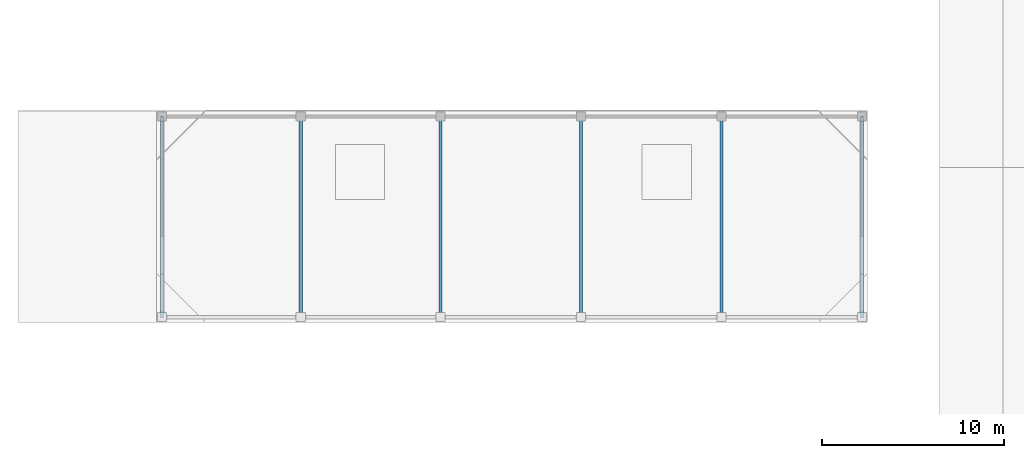
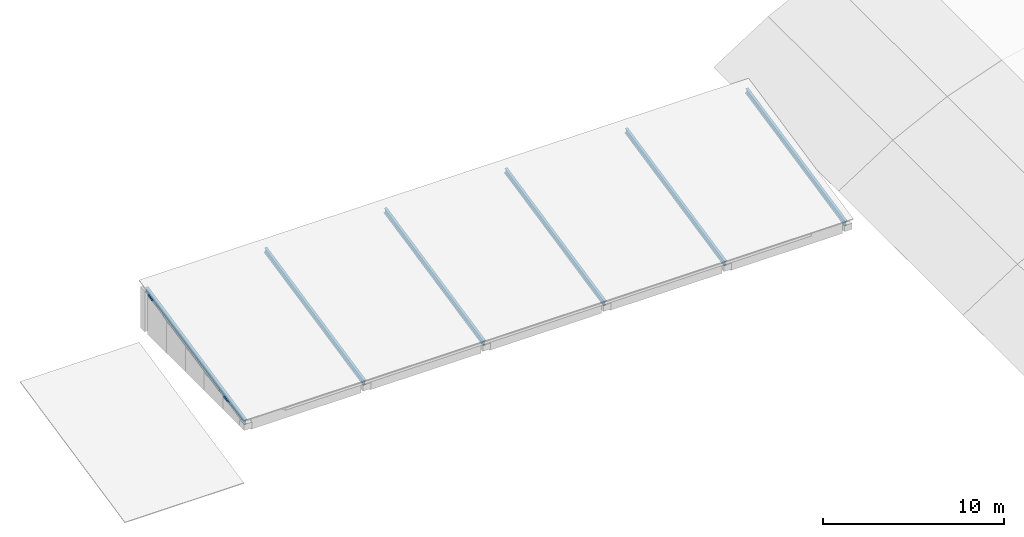
# One storey, part 7 of 19: 6 members.
"""IFC4 building model written with IfcOpenShell, lengths in metres."""

from ifc_helpers import new_model, si_unit, direction, frame, origin, origin_2d, place, context, subcontext, project, spatial, i_section, extrude, material, material_profile, profile_set, type_object, element, save


model = new_model("IFC4")

# Units and contexts
model_context = context("Model", 3, precision=1e-05, world=origin(), true_north=direction((0.0, 1.0)))
body_context = subcontext(model_context, "Body", "Model", "MODEL_VIEW")
ifc_project = project(units=[si_unit("LENGTHUNIT", "METRE"), si_unit("AREAUNIT", "SQUARE_METRE"), si_unit("VOLUMEUNIT", "CUBIC_METRE"), si_unit("PLANEANGLEUNIT", "RADIAN"), si_unit("MASSUNIT", "GRAM", prefix="KILO")], contexts=[model_context])

# Site, building, storey
site_placement = place(None, origin())
site = spatial("IfcSite", under=ifc_project, at=site_placement, CompositionType="ELEMENT")
building_placement = place(site_placement, origin())
building = spatial("IfcBuilding", under=site, at=building_placement, Name="Candilejo Ridge Gondola Terminal", CompositionType="ELEMENT")
storey_placement = place(building_placement, frame((0.0, 0.0, 22.800048828125)))
storey = spatial("IfcBuildingStorey", under=building, at=storey_placement, Name="L05", CompositionType="ELEMENT", Elevation=22.800048828125)

# Members
ifc_material = material(Name="Steel ASTM A992 Grade 50", Category="steel")
ifc_material_profile = material_profile(ifc_material, i_section(OverallWidth=0.1708984375, OverallDepth=0.35498046875, WebThickness=0.007080078125, FlangeThickness=0.01171875, at=origin_2d()))
ifc_profile_set = profile_set([ifc_material_profile], Name="Steel ASTM A992 Grade 50")
member_type = type_object("IfcMemberType", Name="STR-RAF-W360", PredefinedType="RAFTER", material=ifc_profile_set)
for number, where, z_axis, x_axis, name in (
    (1, (94.60009765625, 25.699951171875, 0.32177734375), (0.0, 0.978147373105, 0.207912761724), (-1.0, 0.0, 0.0), "Shed roof rafter RF-V3-MAIN-01"),
    (2, (102.199951171875, 25.699951171875, 0.32177734375), (0.0, 0.978147373105, 0.207912761724), (-1.0, 0.0, 0.0), "Shed roof rafter RF-V3-MAIN-02"),
    (3, (109.85009765625, 25.699951171875, 0.32177734375), (0.0, 0.978147373105, 0.207912761724), (-1.0, 0.0, 0.0), "Shed roof rafter RF-V3-MAIN-03"),
    (4, (117.550048828125, 25.699951171875, 0.32177734375), (0.0, 0.978147373105, 0.207912761724), (-1.0, 0.0, 0.0), "Shed roof rafter RF-V3-MAIN-04"),
    (5, (125.25, 25.699951171875, 0.32177734375), (0.0, 0.978147373105, 0.207912761724), (-1.0, 0.0, 0.0), "Shed roof rafter RF-V3-MAIN-05"),
    (6, (132.949951171875, 25.699951171875, 0.32177734375), (0.0, 0.978147373105, 0.207912761724), (-1.0, 0.0, 0.0), "Shed roof rafter RF-V3-MAIN-06"),
):
    element("IfcMember", number, at=place(storey_placement, frame(where, z_axis=z_axis, x_axis=x_axis)), inside=storey, type_object=member_type, Name=name, PredefinedType="RAFTER", context=body_context, shape_type="SweptSolid", body=[
        extrude(i_section(OverallWidth=0.1708984375, OverallDepth=0.35498046875, WebThickness=0.007080078125, FlangeThickness=0.01171875, at=origin_2d()), origin(), (0.0, 0.0, 1.0), 11.245849609375),
    ])

save(model, "model.ifc")
